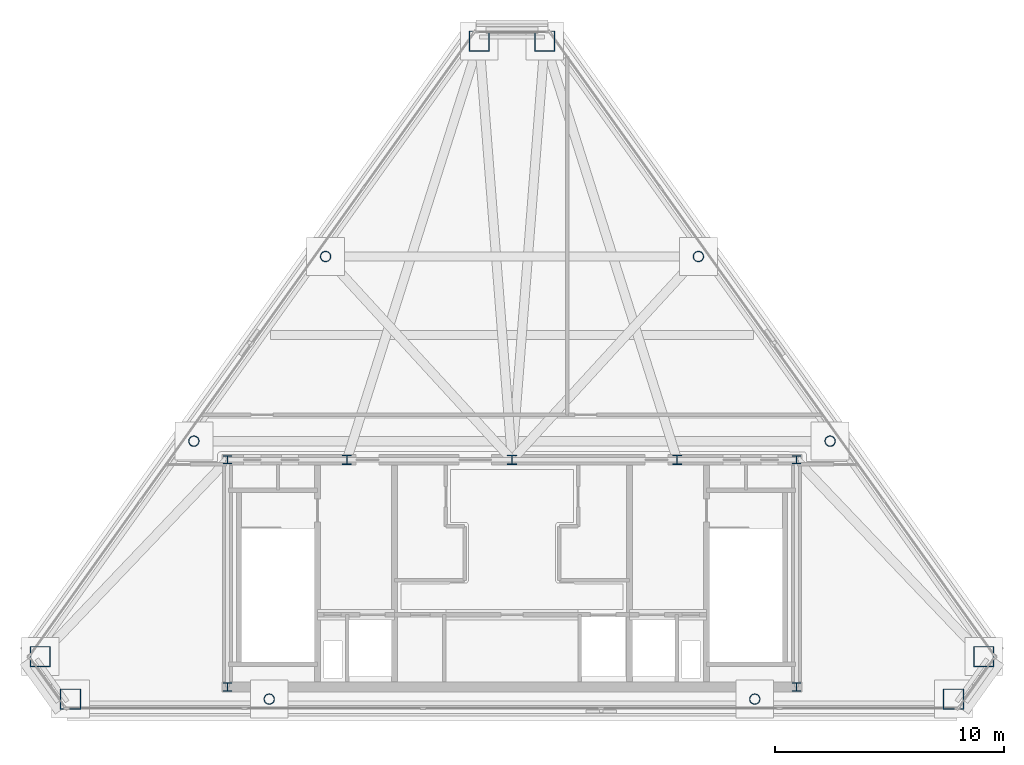
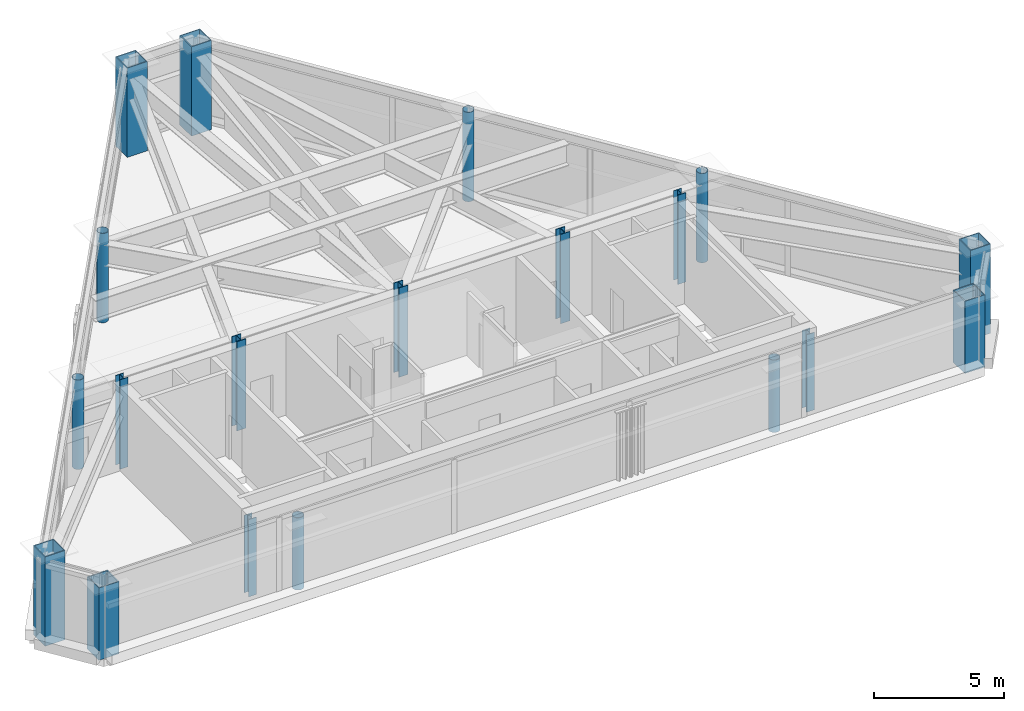
# One storey, part 1 of 7: 19 columns.
"""IFC4 building model written with IfcOpenShell, lengths in metres."""

from ifc_helpers import new_model, si_unit, direction, frame, origin, origin_2d, place, context, subcontext, project, spatial, hollow_rectangle, hollow_circle, i_section, extrude, material, material_profile, profile_set, type_object, element, save


model = new_model("IFC4")

# Units and contexts
model_context = context("Model", 3, precision=1e-05, world=origin(), true_north=direction((0.0, 1.0)))
body_context = subcontext(model_context, "Body", "Model", "MODEL_VIEW")
ifc_project = project(units=[si_unit("LENGTHUNIT", "METRE"), si_unit("AREAUNIT", "SQUARE_METRE"), si_unit("VOLUMEUNIT", "CUBIC_METRE"), si_unit("PLANEANGLEUNIT", "RADIAN"), si_unit("MASSUNIT", "GRAM", prefix="KILO")], contexts=[model_context])

# Site, building, storey
site_placement = place(None, origin())
site = spatial("IfcSite", under=ifc_project, at=site_placement, CompositionType="ELEMENT")
building_placement = place(site_placement, origin())
building = spatial("IfcBuilding", under=site, at=building_placement, Name="Talgorran Terracotta Tower", CompositionType="ELEMENT")
storey_placement = place(building_placement, frame((0.0, 0.0, 306.0)))
storey = spatial("IfcBuildingStorey", under=building, at=storey_placement, Name="L80", CompositionType="ELEMENT", Elevation=306.0)

# Columns
ifc_material_1 = material(Name="Steel S355 (300PLUS)", Category="steel")
ifc_material_profile_1 = material_profile(ifc_material_1, i_section(OverallWidth=0.35205078125, OverallDepth=0.35888671875, WebThickness=0.01806640625, FlangeThickness=0.02587890625, at=origin_2d()), Name="350WC197")
ifc_profile_set_1 = profile_set([ifc_material_profile_1], Name="Steel S355 (300PLUS)")
column_type_1 = type_object("IfcColumnType", Name="COL_350WC197", PredefinedType="COLUMN", material=ifc_profile_set_1)
for number, where, z_axis, x_axis, name in (
    (1, (-12.39990234375, -14.10009765625, 0.0), (0.0, 0.0, 1.0), (1.0, 0.0, 0.0), "L80 Core Boundary Column CC1"),
    (2, (12.39990234375, -14.10009765625, 0.0), (0.0, 0.0, 1.0), (1.0, 0.0, 0.0), "L80 Core Boundary Column CC2"),
):
    element("IfcColumn", number, at=place(storey_placement, frame(where, z_axis=z_axis, x_axis=x_axis)), inside=storey, type_object=column_type_1, Name=name, PredefinedType="COLUMN", context=body_context, shape_type="SweptSolid", body=[
        extrude(i_section(OverallWidth=0.35205078125, OverallDepth=0.35888671875, WebThickness=0.01806640625, FlangeThickness=0.02587890625, at=origin_2d()), origin(), (0.0, 0.0, 1.0), 3.63818359375),
    ])
for number, where, z_axis, x_axis, name in (
    (3, (12.39990234375, -4.199951171875, 0.0), (0.0, 0.0, 1.0), (1.0, 0.0, 0.0), "L80 Core Boundary Column CC3"),
    (4, (-12.39990234375, -4.199951171875, 0.0), (0.0, 0.0, 1.0), (1.0, 0.0, 0.0), "L80 Core Boundary Column CC4"),
):
    element("IfcColumn", number, at=place(storey_placement, frame(where, z_axis=z_axis, x_axis=x_axis)), inside=storey, type_object=column_type_1, Name=name, PredefinedType="COLUMN", context=body_context, shape_type="SweptSolid", body=[
        extrude(i_section(OverallWidth=0.35205078125, OverallDepth=0.35888671875, WebThickness=0.01806640625, FlangeThickness=0.02587890625, at=origin_2d()), origin(), (0.0, 0.0, 1.0), 4.199951171875),
    ])
ifc_material_2 = material(Name="Steel Grade 350 (350L0)", Category="steel")
ifc_material_profile_2 = material_profile(ifc_material_2, hollow_rectangle(XDim=0.89990234375, YDim=0.89990234375, WallThickness=0.0400390625, at=origin_2d()), Name="CFT900X900X40")
ifc_profile_set_2 = profile_set([ifc_material_profile_2], Name="Steel Grade 350 (350L0)")
column_type_2 = type_object("IfcColumnType", Name="COL_CFT_900", PredefinedType="COLUMN", material=ifc_profile_set_2)
column_placement = place(storey_placement, frame((-20.566650390625, -12.774658203125, 0.0), z_axis=(0.0, 0.0, 1.0), x_axis=(1.0, 0.0, 0.0)))
element("IfcColumn", 5, at=column_placement, inside=storey, type_object=column_type_2, Name="L80 Corner CFT Mega-Column MC1", PredefinedType="COLUMN", context=body_context, shape_type="SweptSolid", body=[
    extrude(hollow_rectangle(XDim=0.89990234375, YDim=0.89990234375, WallThickness=0.0400390625, at=origin_2d()), origin(), (0.0, 0.0, 1.0), 4.199951171875),
])
for number, where, z_axis, x_axis, name in (
    (6, (-19.242919921875, -14.6298828125, 0.0), (0.0, 0.0, 1.0), (1.0, 0.0, 0.0), "L80 Corner CFT Mega-Column MC2"),
    (7, (19.242919921875, -14.6298828125, 0.0), (0.0, 0.0, 1.0), (1.0, 0.0, 0.0), "L80 Corner CFT Mega-Column MC3"),
):
    element("IfcColumn", number, at=place(storey_placement, frame(where, z_axis=z_axis, x_axis=x_axis)), inside=storey, type_object=column_type_2, Name=name, PredefinedType="COLUMN", context=body_context, shape_type="SweptSolid", body=[
        extrude(hollow_rectangle(XDim=0.89990234375, YDim=0.89990234375, WallThickness=0.0400390625, at=origin_2d()), origin(), (0.0, 0.0, 1.0), 3.396484375),
    ])
for number, where, z_axis, x_axis, name in (
    (8, (20.566650390625, -12.774658203125, 0.0), (0.0, 0.0, 1.0), (1.0, 0.0, 0.0), "L80 Corner CFT Mega-Column MC4"),
    (9, (1.4267578125, 14.0546875, 0.0), (0.0, 0.0, 1.0), (1.0, 0.0, 0.0), "L80 Corner CFT Mega-Column MC5"),
    (10, (-1.4267578125, 14.0546875, 0.0), (0.0, 0.0, 1.0), (1.0, 0.0, 0.0), "L80 Corner CFT Mega-Column MC6"),
):
    element("IfcColumn", number, at=place(storey_placement, frame(where, z_axis=z_axis, x_axis=x_axis)), inside=storey, type_object=column_type_2, Name=name, PredefinedType="COLUMN", context=body_context, shape_type="SweptSolid", body=[
        extrude(hollow_rectangle(XDim=0.89990234375, YDim=0.89990234375, WallThickness=0.0400390625, at=origin_2d()), origin(), (0.0, 0.0, 1.0), 4.199951171875),
    ])
ifc_material_3 = material(Name="Steel S350 (C350L0)", Category="steel")
ifc_material_profile_3 = material_profile(ifc_material_3, hollow_circle(Radius=0.228515625, WallThickness=0.01611328125, at=origin_2d()), Name="CHS457X16")
ifc_profile_set_3 = profile_set([ifc_material_profile_3], Name="Steel S350 (C350L0)")
column_type_3 = type_object("IfcColumnType", Name="COL_CHS_457", PredefinedType="COLUMN", material=ifc_profile_set_3)
for number, where, z_axis, x_axis, name in (
    (11, (-10.58349609375, -14.6298828125, 0.0), (0.0, 0.0, 1.0), (1.0, 0.0, 0.0), "L80 Facet Perimeter Column FC1"),
    (12, (10.58349609375, -14.6298828125, 0.0), (0.0, 0.0, 1.0), (1.0, 0.0, 0.0), "L80 Facet Perimeter Column FC2"),
):
    element("IfcColumn", number, at=place(storey_placement, frame(where, z_axis=z_axis, x_axis=x_axis)), inside=storey, type_object=column_type_3, Name=name, PredefinedType="COLUMN", context=body_context, shape_type="SweptSolid", body=[
        extrude(hollow_circle(Radius=0.228515625, WallThickness=0.01611328125, at=origin_2d()), origin(), (0.0, 0.0, 1.0), 3.396484375),
    ])
for number, where, z_axis, x_axis, name in (
    (13, (13.86767578125, -3.384521484375, 0.0), (0.0, 0.0, 1.0), (1.0, 0.0, 0.0), "L80 Facet Perimeter Column FC3"),
    (14, (8.125732421875, 4.664306640625, 0.0), (0.0, 0.0, 1.0), (1.0, 0.0, 0.0), "L80 Facet Perimeter Column FC4"),
    (15, (-8.125732421875, 4.664306640625, 0.0), (0.0, 0.0, 1.0), (1.0, 0.0, 0.0), "L80 Facet Perimeter Column FC5"),
    (16, (-13.86767578125, -3.384521484375, 0.0), (0.0, 0.0, 1.0), (1.0, 0.0, 0.0), "L80 Facet Perimeter Column FC6"),
):
    element("IfcColumn", number, at=place(storey_placement, frame(where, z_axis=z_axis, x_axis=x_axis)), inside=storey, type_object=column_type_3, Name=name, PredefinedType="COLUMN", context=body_context, shape_type="SweptSolid", body=[
        extrude(hollow_circle(Radius=0.228515625, WallThickness=0.01611328125, at=origin_2d()), origin(), (0.0, 0.0, 1.0), 4.199951171875),
    ])
ifc_material_profile_4 = material_profile(ifc_material_1, i_section(OverallWidth=0.405029296875, OverallDepth=0.4140625, WebThickness=0.02197265625, FlangeThickness=0.031982421875, at=origin_2d()), Name="400WC270")
ifc_profile_set_4 = profile_set([ifc_material_profile_4], Name="Steel S355 (300PLUS)")
column_type_4 = type_object("IfcColumnType", Name="COL_PIL_400WC270", PredefinedType="PILASTER", material=ifc_profile_set_4)
for number, where, z_axis, x_axis, name in (
    (17, (-7.199951171875, -4.199951171875, 0.0), (0.0, 0.0, 1.0), (1.0, 0.0, 0.0), "L80 Core Shear Pilaster CP1"),
    (18, (0.0, -4.199951171875, 0.0), (0.0, 0.0, 1.0), (1.0, 0.0, 0.0), "L80 Core Shear Pilaster CP2"),
    (19, (7.199951171875, -4.199951171875, 0.0), (0.0, 0.0, 1.0), (1.0, 0.0, 0.0), "L80 Core Shear Pilaster CP3"),
):
    element("IfcColumn", number, at=place(storey_placement, frame(where, z_axis=z_axis, x_axis=x_axis)), inside=storey, type_object=column_type_4, Name=name, PredefinedType="PILASTER", context=body_context, shape_type="SweptSolid", body=[
        extrude(i_section(OverallWidth=0.405029296875, OverallDepth=0.4140625, WebThickness=0.02197265625, FlangeThickness=0.031982421875, at=origin_2d()), origin(), (0.0, 0.0, 1.0), 4.199951171875),
    ])

save(model, "model.ifc")
